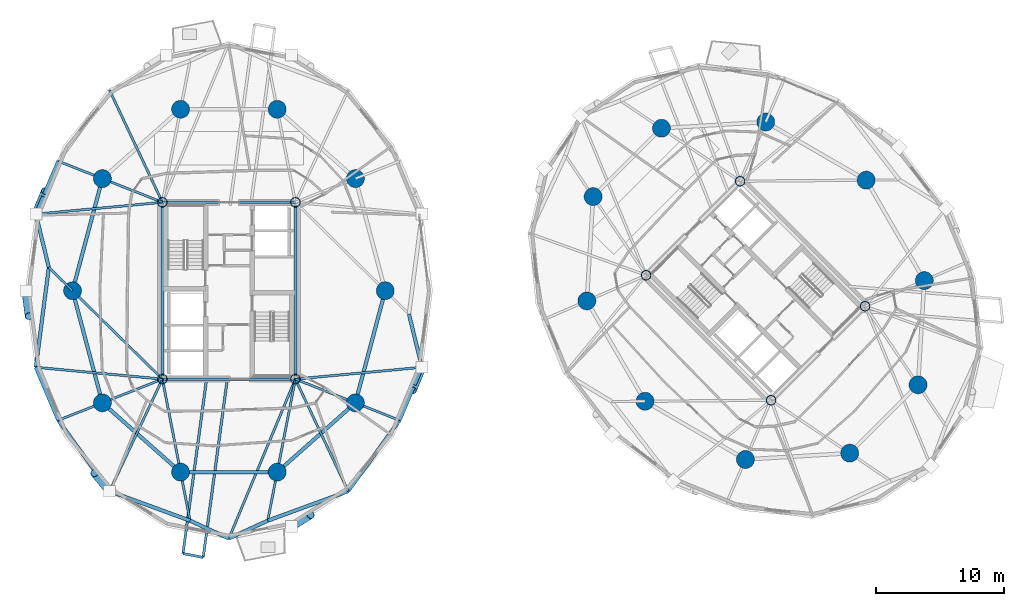
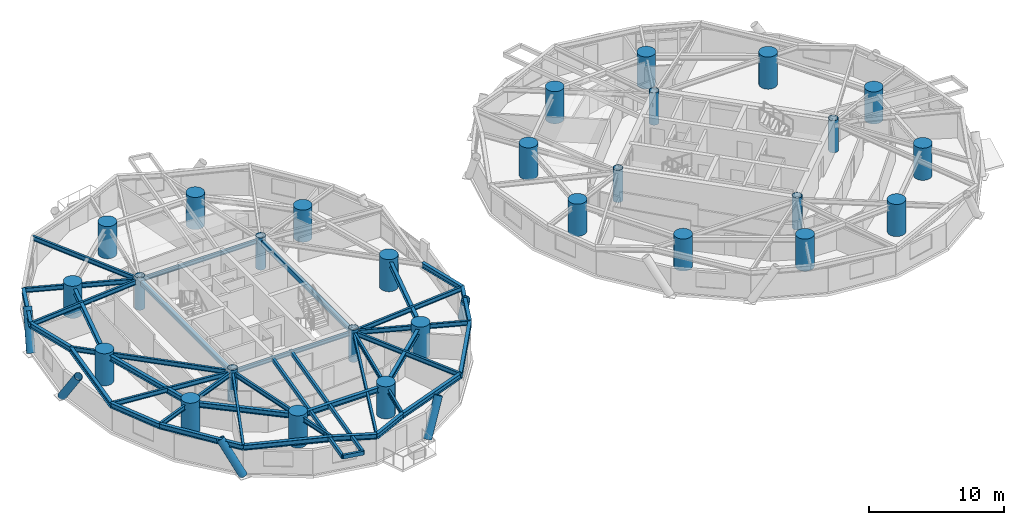
# One storey, part 1 of 18: 39 beams, 28 columns, 5 members.
"""IFC4 building model written with IfcOpenShell, lengths in metres."""

from ifc_helpers import new_model, si_unit, direction, frame, origin, origin_2d, place, context, subcontext, project, spatial, hollow_rectangle, circle, hollow_circle, i_section, extrude, material, material_profile, profile_set, type_object, element, save


model = new_model("IFC4")

# Units and contexts
model_context = context("Model", 3, precision=1e-05, world=origin(), true_north=direction((0.0, 1.0)))
body_context = subcontext(model_context, "Body", "Model", "MODEL_VIEW")
ifc_project = project(units=[si_unit("LENGTHUNIT", "METRE"), si_unit("AREAUNIT", "SQUARE_METRE"), si_unit("VOLUMEUNIT", "CUBIC_METRE"), si_unit("PLANEANGLEUNIT", "RADIAN"), si_unit("MASSUNIT", "GRAM", prefix="KILO")], contexts=[model_context])

# Site, building, storey
site_placement = place(None, origin())
site = spatial("IfcSite", under=ifc_project, at=site_placement, CompositionType="ELEMENT")
building_placement = place(site_placement, origin())
building = spatial("IfcBuilding", under=site, at=building_placement, Name="Cununo Teusaquillo Station Towers", CompositionType="ELEMENT")
storey_placement = place(building_placement, frame((0.0, 0.0, 110.889892578125)))
storey = spatial("IfcBuildingStorey", under=building, at=storey_placement, Name="L35", CompositionType="ELEMENT", Elevation=110.889892578125)

# Columns
ifc_material_1 = material(Name="Steel EN 10025-2 S355J2", Category="steel")
ifc_material_profile_1 = material_profile(ifc_material_1, hollow_circle(Radius=0.3798828125, WallThickness=0.031982421875, at=origin_2d()), Name="CHS 760x32")
ifc_profile_set_1 = profile_set([ifc_material_profile_1], Name="Steel EN 10025-2 S355J2")
column_type_1 = type_object("IfcColumnType", Name="COL-CORE-Z2", PredefinedType="COLUMN", material=ifc_profile_set_1)
for number, where, z_axis, x_axis, name in (
    (1, (11.324951171875, 17.6201171875, 0.0), (0.0, 0.0, 1.0), (1.0, 0.0, 0.0), "L35 Tower A Core Column 1"),
    (2, (11.324951171875, 31.3798828125, 0.0), (0.0, 0.0, 1.0), (1.0, 0.0, 0.0), "L35 Tower A Core Column 2"),
    (3, (21.675048828125, 17.6201171875, 0.0), (0.0, 0.0, 1.0), (1.0, 0.0, 0.0), "L35 Tower A Core Column 3"),
    (4, (21.675048828125, 31.3798828125, 0.0), (0.0, 0.0, 1.0), (1.0, 0.0, 0.0), "L35 Tower A Core Column 4"),
    (5, (58.70556640625, 15.975830078125, 0.0), (0.0, 0.0, 1.0), (0.707106781187, 0.707106781187, 0.0), "L35 Tower B Core Column 1"),
    (6, (48.975830078125, 25.70556640625, 0.0), (0.0, 0.0, 1.0), (0.707106781187, 0.707106781187, 0.0), "L35 Tower B Core Column 2"),
    (7, (66.024169921875, 23.29443359375, 0.0), (0.0, 0.0, 1.0), (0.707106781187, 0.707106781187, 0.0), "L35 Tower B Core Column 3"),
    (8, (56.29443359375, 33.024169921875, 0.0), (0.0, 0.0, 1.0), (0.707106781187, 0.707106781187, 0.0), "L35 Tower B Core Column 4"),
):
    element("IfcColumn", number, at=place(storey_placement, frame(where, z_axis=z_axis, x_axis=x_axis)), inside=storey, type_object=column_type_1, Name=name, PredefinedType="COLUMN", context=body_context, shape_type="SweptSolid", body=[
        extrude(hollow_circle(Radius=0.3798828125, WallThickness=0.031982421875, at=origin_2d()), origin(), (0.0, 0.0, 1.0), 2.91015625),
    ])
ifc_material_2 = material(Name="Concrete C60/75", Category="concrete")
ifc_material_profile_2 = material_profile(ifc_material_2, circle(Radius=0.699951171875, at=origin_2d()), Name="RC-CIRC-1400")
ifc_profile_set_2 = profile_set([ifc_material_profile_2], Name="Concrete C60/75")
column_type_2 = type_object("IfcColumnType", Name="COL-MEGA-Z2", PredefinedType="USERDEFINED", material=ifc_profile_set_2)
for number, where, z_axis, x_axis, name in (
    (9, (28.672119140625, 24.5, 0.0), (0.0, 0.0, 1.0), (1.0, 0.0, 0.0), "L35 Tower A Perimeter Column V00"),
    (10, (26.347412109375, 33.228515625, 0.0), (0.0, 0.0, 1.0), (1.0, 0.0, 0.0), "L35 Tower A Perimeter Column V02"),
    (11, (20.261474609375, 38.623291015625, 0.0), (0.0, 0.0, 1.0), (1.0, 0.0, 0.0), "L35 Tower A Perimeter Column V04"),
    (12, (12.738525390625, 38.623291015625, 0.0), (0.0, 0.0, 1.0), (1.0, 0.0, 0.0), "L35 Tower A Perimeter Column V06"),
    (13, (6.652587890625, 33.228515625, 0.0), (0.0, 0.0, 1.0), (1.0, 0.0, 0.0), "L35 Tower A Perimeter Column V08"),
    (14, (4.327880859375, 24.5, 0.0), (0.0, 0.0, 1.0), (1.0, 0.0, 0.0), "L35 Tower A Perimeter Column V10"),
    (15, (6.652587890625, 15.771484375, 0.0), (0.0, 0.0, 1.0), (1.0, 0.0, 0.0), "L35 Tower A Perimeter Column V12"),
    (16, (12.738525390625, 10.376708984375, 0.0), (0.0, 0.0, 1.0), (1.0, 0.0, 0.0), "L35 Tower A Perimeter Column V14"),
    (17, (20.261474609375, 10.376708984375, 0.0), (0.0, 0.0, 1.0), (1.0, 0.0, 0.0), "L35 Tower A Perimeter Column V16"),
    (18, (26.347412109375, 15.771484375, 0.0), (0.0, 0.0, 1.0), (1.0, 0.0, 0.0), "L35 Tower A Perimeter Column V18"),
    (19, (66.10693359375, 33.10693359375, 0.0), (0.0, 0.0, 1.0), (1.0, 0.0, 0.0), "L35 Tower B Perimeter Column V00"),
    (20, (58.291015625, 37.63525390625, 0.0), (0.0, 0.0, 1.0), (1.0, 0.0, 0.0), "L35 Tower B Perimeter Column V02"),
    (21, (50.173095703125, 37.146240234375, 0.0), (0.0, 0.0, 1.0), (1.0, 0.0, 0.0), "L35 Tower B Perimeter Column V04"),
    (22, (44.853759765625, 31.826904296875, 0.0), (0.0, 0.0, 1.0), (1.0, 0.0, 0.0), "L35 Tower B Perimeter Column V06"),
    (23, (44.36474609375, 23.708984375, 0.0), (0.0, 0.0, 1.0), (1.0, 0.0, 0.0), "L35 Tower B Perimeter Column V08"),
    (24, (48.89306640625, 15.89306640625, 0.0), (0.0, 0.0, 1.0), (1.0, 0.0, 0.0), "L35 Tower B Perimeter Column V10"),
    (25, (56.708984375, 11.36474609375, 0.0), (0.0, 0.0, 1.0), (1.0, 0.0, 0.0), "L35 Tower B Perimeter Column V12"),
    (26, (64.826904296875, 11.853759765625, 0.0), (0.0, 0.0, 1.0), (1.0, 0.0, 0.0), "L35 Tower B Perimeter Column V14"),
    (27, (70.146240234375, 17.173095703125, 0.0), (0.0, 0.0, 1.0), (1.0, 0.0, 0.0), "L35 Tower B Perimeter Column V16"),
    (28, (70.63525390625, 25.291015625, 0.0), (0.0, 0.0, 1.0), (1.0, 0.0, 0.0), "L35 Tower B Perimeter Column V18"),
):
    element("IfcColumn", number, at=place(storey_placement, frame(where, z_axis=z_axis, x_axis=x_axis)), inside=storey, type_object=column_type_2, Name=name, ObjectType="MEGA COLUMN", PredefinedType="USERDEFINED", context=body_context, shape_type="SweptSolid", body=[
        extrude(circle(Radius=0.699951171875, at=origin_2d()), origin(), (0.0, 0.0, 1.0), 2.91015625),
    ])

# Beams
ifc_material_3 = material(Name="Steel EN 10025-2 S355J2", Category="steel")
ifc_material_profile_3 = material_profile(ifc_material_3, hollow_rectangle(XDim=0.199951171875, YDim=0.35009765625, WallThickness=0.013916015625, at=origin_2d()), Name="RHS 350x200x14")
ifc_profile_set_3 = profile_set([ifc_material_profile_3], Name="Steel EN 10025-2 S355J2")
beam_type_1 = type_object("IfcBeamType", Name="BM-BAL-CANT", PredefinedType="BEAM", material=ifc_profile_set_3)
beam_1_placement = place(storey_placement, frame((14.793701171875, 17.85009765625, 2.4951171875), z_axis=(-0.133960678738, -0.990986648019, 0.0), x_axis=(0.990986648019, -0.133960678738, 0.0)))
element("IfcBeam", 29, at=beam_1_placement, inside=storey, type_object=beam_type_1, Name="L35 Tower A Balcony Cantilever Bracket 2A", PredefinedType="BEAM", context=body_context, shape_type="SweptSolid", body=[
    extrude(hollow_rectangle(XDim=0.199951171875, YDim=0.35009765625, WallThickness=0.013916015625, at=origin_2d()), origin(), (0.0, 0.0, 1.0), 13.9345703125),
])
beam_2_placement = place(storey_placement, frame((16.40869140625, 17.85009765625, 2.4951171875), z_axis=(-0.133936551357, -0.990989909237, 0.0), x_axis=(0.990989909237, -0.133936551357, 0.0)))
element("IfcBeam", 30, at=beam_2_placement, inside=storey, type_object=beam_type_1, Name="L35 Tower A Balcony Cantilever Bracket 2B", PredefinedType="BEAM", context=body_context, shape_type="SweptSolid", body=[
    extrude(hollow_rectangle(XDim=0.199951171875, YDim=0.35009765625, WallThickness=0.013916015625, at=origin_2d()), origin(), (0.0, 0.0, 1.0), 14.24169921875),
])
ifc_material_4 = material(Name="Steel EN 10025-2 S355J2", Category="steel")
ifc_material_profile_4 = material_profile(ifc_material_4, hollow_rectangle(XDim=0.25, YDim=0.449951171875, WallThickness=0.01611328125, at=origin_2d()), Name="RHS 450x250x16")
ifc_profile_set_4 = profile_set([ifc_material_profile_4], Name="Steel EN 10025-2 S355J2")
beam_type_2 = type_object("IfcBeamType", Name="BM-COUP-1", PredefinedType="USERDEFINED", material=ifc_profile_set_4)
for number, where, z_axis, x_axis, name in (
    (31, (11.324951171875, 17.6201171875, 2.445068359375), (0.0, 1.0, 0.0), (-1.0, 0.0, 0.0), "L35 Tower A Core Beam 1"),
    (32, (21.675048828125, 17.6201171875, 2.445068359375), (0.0, 1.0, 0.0), (-1.0, 0.0, 0.0), "L35 Tower A Core Beam 2"),
):
    element("IfcBeam", number, at=place(storey_placement, frame(where, z_axis=z_axis, x_axis=x_axis)), inside=storey, type_object=beam_type_2, Name=name, ObjectType="COUPLING BEAM", PredefinedType="USERDEFINED", context=body_context, shape_type="SweptSolid", body=[
        extrude(hollow_rectangle(XDim=0.25, YDim=0.449951171875, WallThickness=0.01611328125, at=origin_2d()), origin(), (0.0, 0.0, 1.0), 13.759765625),
    ])
ifc_material_5 = material(Name="Steel ASTM A572 Grade 50", Category="steel")
ifc_material_profile_5 = material_profile(ifc_material_5, i_section(OverallWidth=0.180908203125, OverallDepth=0.4169921875, WebThickness=0.010986328125, FlangeThickness=0.018310546875, FilletRadius=0.012939453125, at=origin_2d()), Name="W16X57")
ifc_profile_set_5 = profile_set([ifc_material_profile_5], Name="Steel ASTM A572 Grade 50")
beam_type_3 = type_object("IfcBeamType", Name="BM-JOIST-1", PredefinedType="JOIST", material=ifc_profile_set_5)
beam_3_placement = place(storey_placement, frame((11.324951171875, 31.3798828125, 2.461669921875), z_axis=(-0.426319838016, 0.904572493344, 0.0), x_axis=(-0.904572493344, -0.426319838016, 0.0)))
element("IfcBeam", 33, at=beam_3_placement, inside=storey, type_object=beam_type_3, Name="L35 Tower A Radial Spandrel Joist V07", PredefinedType="JOIST", context=body_context, shape_type="SweptSolid", body=[
    extrude(i_section(OverallWidth=0.180908203125, OverallDepth=0.4169921875, WebThickness=0.010986328125, FlangeThickness=0.018310546875, FilletRadius=0.012939453125, at=origin_2d()), origin(), (0.0, 0.0, 1.0), 9.646728515625),
])
for number, where, z_axis, x_axis, name in (
    (34, (11.324951171875, 31.3798828125, 2.461669921875), (-0.995678537907, -0.09286683558, 0.0), (0.09286683558, -0.995678537907, 0.0), "L35 Tower A Radial Spandrel Joist V09"),
    (35, (11.324951171875, 17.6201171875, 2.461669921875), (-0.995678537907, 0.09286683558, 0.0), (-0.09286683558, -0.995678537907, 0.0), "L35 Tower A Radial Spandrel Joist V11"),
):
    element("IfcBeam", number, at=place(storey_placement, frame(where, z_axis=z_axis, x_axis=x_axis)), inside=storey, type_object=beam_type_3, Name=name, PredefinedType="JOIST", context=body_context, shape_type="SweptSolid", body=[
        extrude(i_section(OverallWidth=0.180908203125, OverallDepth=0.4169921875, WebThickness=0.010986328125, FlangeThickness=0.018310546875, FilletRadius=0.012939453125, at=origin_2d()), origin(), (0.0, 0.0, 1.0), 9.895263671875),
    ])
beam_4_placement = place(storey_placement, frame((11.324951171875, 17.6201171875, 2.461669921875), z_axis=(-0.426319838016, -0.904572493344, 0.0), x_axis=(0.904572493344, -0.426319838016, 0.0)))
element("IfcBeam", 36, at=beam_4_placement, inside=storey, type_object=beam_type_3, Name="L35 Tower A Radial Spandrel Joist V13", PredefinedType="JOIST", context=body_context, shape_type="SweptSolid", body=[
    extrude(i_section(OverallWidth=0.180908203125, OverallDepth=0.4169921875, WebThickness=0.010986328125, FlangeThickness=0.018310546875, FilletRadius=0.012939453125, at=origin_2d()), origin(), (0.0, 0.0, 1.0), 9.646728515625),
])
beam_5_placement = place(storey_placement, frame((21.675048828125, 17.6201171875, 2.461669921875), z_axis=(-0.38487837995, -0.922967297713, 0.0), x_axis=(0.922967297713, -0.38487837995, 0.0)))
element("IfcBeam", 37, at=beam_5_placement, inside=storey, type_object=beam_type_3, Name="L35 Tower A Radial Spandrel Joist V15", PredefinedType="JOIST", context=body_context, shape_type="SweptSolid", body=[
    extrude(i_section(OverallWidth=0.180908203125, OverallDepth=0.4169921875, WebThickness=0.010986328125, FlangeThickness=0.018310546875, FilletRadius=0.012939453125, at=origin_2d()), origin(), (0.0, 0.0, 1.0), 13.446044921875),
])
beam_6_placement = place(storey_placement, frame((21.675048828125, 17.6201171875, 2.461669921875), z_axis=(0.426319838016, -0.904572493344, 0.0), x_axis=(0.904572493344, 0.426319838016, 0.0)))
element("IfcBeam", 38, at=beam_6_placement, inside=storey, type_object=beam_type_3, Name="L35 Tower A Radial Spandrel Joist V17", PredefinedType="JOIST", context=body_context, shape_type="SweptSolid", body=[
    extrude(i_section(OverallWidth=0.180908203125, OverallDepth=0.4169921875, WebThickness=0.010986328125, FlangeThickness=0.018310546875, FilletRadius=0.012939453125, at=origin_2d()), origin(), (0.0, 0.0, 1.0), 9.646728515625),
])
beam_7_placement = place(storey_placement, frame((21.675048828125, 17.6201171875, 2.461669921875), z_axis=(0.995678537907, 0.09286683558, 0.0), x_axis=(-0.09286683558, 0.995678537907, 0.0)))
element("IfcBeam", 39, at=beam_7_placement, inside=storey, type_object=beam_type_3, Name="L35 Tower A Radial Spandrel Joist V19", PredefinedType="JOIST", context=body_context, shape_type="SweptSolid", body=[
    extrude(i_section(OverallWidth=0.180908203125, OverallDepth=0.4169921875, WebThickness=0.010986328125, FlangeThickness=0.018310546875, FilletRadius=0.012939453125, at=origin_2d()), origin(), (0.0, 0.0, 1.0), 9.895263671875),
])
ifc_material_6 = material(Name="Steel ASTM A572 Grade 50", Category="steel")
ifc_material_profile_6 = material_profile(ifc_material_6, i_section(OverallWidth=0.2041015625, OverallDepth=0.35009765625, WebThickness=0.008544921875, FlangeThickness=0.01513671875, FilletRadius=0.011962890625, at=origin_2d()), Name="W14X48")
ifc_profile_set_6 = profile_set([ifc_material_profile_6], Name="Steel ASTM A572 Grade 50")
beam_type_4 = type_object("IfcBeamType", Name="BM-LINTEL-1", PredefinedType="LINTEL", material=ifc_profile_set_6)
for number, where, z_axis, x_axis, name in (
    (40, (11.324951171875, 17.6201171875, 2.4951171875), (1.0, 0.0, 0.0), (0.0, 1.0, 0.0), "L35 Tower A Core Beam 3"),
    (41, (11.324951171875, 31.3798828125, 2.4951171875), (1.0, 0.0, 0.0), (0.0, 1.0, 0.0), "L35 Tower A Core Beam 4"),
):
    element("IfcBeam", number, at=place(storey_placement, frame(where, z_axis=z_axis, x_axis=x_axis)), inside=storey, type_object=beam_type_4, Name=name, PredefinedType="LINTEL", context=body_context, shape_type="SweptSolid", body=[
        extrude(i_section(OverallWidth=0.2041015625, OverallDepth=0.35009765625, WebThickness=0.008544921875, FlangeThickness=0.01513671875, FilletRadius=0.011962890625, at=origin_2d()), origin(), (0.0, 0.0, 1.0), 10.35009765625),
    ])
ifc_material_7 = material(Name="Steel ASTM A572 Grade 50", Category="steel")
ifc_material_profile_7 = material_profile(ifc_material_7, i_section(OverallWidth=0.180908203125, OverallDepth=0.4169921875, WebThickness=0.010986328125, FlangeThickness=0.018310546875, FilletRadius=0.012939453125, at=origin_2d()), Name="W16X57")
ifc_profile_set_7 = profile_set([ifc_material_profile_7], Name="Steel ASTM A572 Grade 50")
beam_type_5 = type_object("IfcBeamType", Name="BM-RAD-G2", PredefinedType="BEAM", material=ifc_profile_set_7)
beam_8_placement = place(storey_placement, frame((11.324951171875, 31.3798828125, 2.461669921875), z_axis=(-0.929863123823, 0.367905654963, 0.0), x_axis=(-0.367905654963, -0.929863123823, 0.0)))
element("IfcBeam", 42, at=beam_8_placement, inside=storey, type_object=beam_type_5, Name="L35 Tower A Continuous Overhanging Radial Girder 05", PredefinedType="BEAM", context=body_context, shape_type="SweptSolid", body=[
    extrude(i_section(OverallWidth=0.180908203125, OverallDepth=0.4169921875, WebThickness=0.010986328125, FlangeThickness=0.018310546875, FilletRadius=0.012939453125, at=origin_2d()), origin(), (0.0, 0.0, 1.0), 8.715087890625),
])
beam_9_placement = place(storey_placement, frame((11.324951171875, 17.6201171875, 2.461669921875), z_axis=(-0.713052701438, 0.701110437073, 0.0), x_axis=(-0.701110437073, -0.713052701438, 0.0)))
element("IfcBeam", 43, at=beam_9_placement, inside=storey, type_object=beam_type_5, Name="L35 Tower A Radial Girder 06A", PredefinedType="BEAM", context=body_context, shape_type="SweptSolid", body=[
    extrude(i_section(OverallWidth=0.180908203125, OverallDepth=0.4169921875, WebThickness=0.010986328125, FlangeThickness=0.018310546875, FilletRadius=0.012939453125, at=origin_2d()), origin(), (0.0, 0.0, 1.0), 9.812744140625),
])
beam_10_placement = place(storey_placement, frame((4.327880859375, 24.5, 2.461669921875), z_axis=(-0.7130260383, 0.701137553342, 0.0), x_axis=(-0.701137553342, -0.7130260383, 0.0)))
element("IfcBeam", 44, at=beam_10_placement, inside=storey, type_object=beam_type_5, Name="L35 Tower A Perimeter Overhang Girder 06B", PredefinedType="BEAM", context=body_context, shape_type="SweptSolid", body=[
    extrude(i_section(OverallWidth=0.180908203125, OverallDepth=0.4169921875, WebThickness=0.010986328125, FlangeThickness=0.018310546875, FilletRadius=0.012939453125, at=origin_2d()), origin(), (0.0, 0.0, 1.0), 2.58740234375),
])
beam_11_placement = place(storey_placement, frame((11.324951171875, 17.6201171875, 2.461669921875), z_axis=(-0.929863123823, -0.367905654963, 0.0), x_axis=(0.367905654963, -0.929863123823, 0.0)))
element("IfcBeam", 45, at=beam_11_placement, inside=storey, type_object=beam_type_5, Name="L35 Tower A Continuous Overhanging Radial Girder 07", PredefinedType="BEAM", context=body_context, shape_type="SweptSolid", body=[
    extrude(i_section(OverallWidth=0.180908203125, OverallDepth=0.4169921875, WebThickness=0.010986328125, FlangeThickness=0.018310546875, FilletRadius=0.012939453125, at=origin_2d()), origin(), (0.0, 0.0, 1.0), 8.715087890625),
])
for number, where, z_axis, x_axis, name in (
    (46, (11.324951171875, 17.6201171875, 2.461669921875), (0.191552755713, -0.981482318628, 0.0), (0.981482318628, 0.191552755713, 0.0), "L35 Tower A Continuous Overhanging Radial Girder 08"),
    (47, (21.675048828125, 17.6201171875, 2.461669921875), (-0.191552755713, -0.981482318628, 0.0), (0.981482318628, -0.191552755713, 0.0), "L35 Tower A Continuous Overhanging Radial Girder 09"),
):
    element("IfcBeam", number, at=place(storey_placement, frame(where, z_axis=z_axis, x_axis=x_axis)), inside=storey, type_object=beam_type_5, Name=name, PredefinedType="BEAM", context=body_context, shape_type="SweptSolid", body=[
        extrude(i_section(OverallWidth=0.180908203125, OverallDepth=0.4169921875, WebThickness=0.010986328125, FlangeThickness=0.018310546875, FilletRadius=0.012939453125, at=origin_2d()), origin(), (0.0, 0.0, 1.0), 11.22998046875),
    ])
beam_12_placement = place(storey_placement, frame((21.675048828125, 17.6201171875, 2.461669921875), z_axis=(0.929863123823, -0.367905654963, 0.0), x_axis=(0.367905654963, 0.929863123823, 0.0)))
element("IfcBeam", 48, at=beam_12_placement, inside=storey, type_object=beam_type_5, Name="L35 Tower A Continuous Overhanging Radial Girder 10", PredefinedType="BEAM", context=body_context, shape_type="SweptSolid", body=[
    extrude(i_section(OverallWidth=0.180908203125, OverallDepth=0.4169921875, WebThickness=0.010986328125, FlangeThickness=0.018310546875, FilletRadius=0.012939453125, at=origin_2d()), origin(), (0.0, 0.0, 1.0), 8.715087890625),
])
ifc_material_8 = material(Name="Steel ASTM A572 Grade 50", Category="steel")
ifc_material_profile_8 = material_profile(ifc_material_8, i_section(OverallWidth=0.280029296875, OverallDepth=0.462890625, WebThickness=0.0107421875, FlangeThickness=0.017333984375, FilletRadius=0.013916015625, at=origin_2d()), Name="W18X76")
ifc_profile_set_8 = profile_set([ifc_material_profile_8], Name="Steel ASTM A572 Grade 50")
beam_type_6 = type_object("IfcBeamType", Name="BM-RING-Z2", PredefinedType="SPANDREL", material=ifc_profile_set_8)
for number, where, z_axis, x_axis, name in (
    (49, (6.652587890625, 33.228515625, 2.438720703125), (-0.257363196347, -0.966314744359, 0.0), (0.966314744359, -0.257363196347, 0.0), "L35 Tower A Structural Column Ring Girder 05"),
    (50, (4.327880859375, 24.5, 2.438720703125), (0.257363196347, -0.966314744359, 0.0), (0.966314744359, 0.257363196347, 0.0), "L35 Tower A Structural Column Ring Girder 06"),
):
    element("IfcBeam", number, at=place(storey_placement, frame(where, z_axis=z_axis, x_axis=x_axis)), inside=storey, type_object=beam_type_6, Name=name, PredefinedType="SPANDREL", context=body_context, shape_type="SweptSolid", body=[
        extrude(i_section(OverallWidth=0.280029296875, OverallDepth=0.462890625, WebThickness=0.0107421875, FlangeThickness=0.017333984375, FilletRadius=0.013916015625, at=origin_2d()), origin(), (0.0, 0.0, 1.0), 9.03271484375),
    ])
beam_13_placement = place(storey_placement, frame((6.652587890625, 15.771484375, 2.438720703125), z_axis=(0.74832120039, -0.66333655187, 0.0), x_axis=(0.66333655187, 0.74832120039, 0.0)))
element("IfcBeam", 51, at=beam_13_placement, inside=storey, type_object=beam_type_6, Name="L35 Tower A Structural Column Ring Girder 07", PredefinedType="SPANDREL", context=body_context, shape_type="SweptSolid", body=[
    extrude(i_section(OverallWidth=0.280029296875, OverallDepth=0.462890625, WebThickness=0.0107421875, FlangeThickness=0.017333984375, FilletRadius=0.013916015625, at=origin_2d()), origin(), (0.0, 0.0, 1.0), 8.1328125),
])
beam_14_placement = place(storey_placement, frame((12.738525390625, 10.376708984375, 2.438720703125), z_axis=(1.0, 0.0, 0.0), x_axis=(0.0, 1.0, 0.0)))
element("IfcBeam", 52, at=beam_14_placement, inside=storey, type_object=beam_type_6, Name="L35 Tower A Structural Column Ring Girder 08", PredefinedType="SPANDREL", context=body_context, shape_type="SweptSolid", body=[
    extrude(i_section(OverallWidth=0.280029296875, OverallDepth=0.462890625, WebThickness=0.0107421875, FlangeThickness=0.017333984375, FilletRadius=0.013916015625, at=origin_2d()), origin(), (0.0, 0.0, 1.0), 7.52294921875),
])
beam_15_placement = place(storey_placement, frame((20.261474609375, 10.376708984375, 2.438720703125), z_axis=(0.74832120039, 0.66333655187, 0.0), x_axis=(-0.66333655187, 0.74832120039, 0.0)))
element("IfcBeam", 53, at=beam_15_placement, inside=storey, type_object=beam_type_6, Name="L35 Tower A Structural Column Ring Girder 09", PredefinedType="SPANDREL", context=body_context, shape_type="SweptSolid", body=[
    extrude(i_section(OverallWidth=0.280029296875, OverallDepth=0.462890625, WebThickness=0.0107421875, FlangeThickness=0.017333984375, FilletRadius=0.013916015625, at=origin_2d()), origin(), (0.0, 0.0, 1.0), 8.1328125),
])
beam_16_placement = place(storey_placement, frame((26.347412109375, 15.771484375, 2.438720703125), z_axis=(0.257363196347, 0.966314744359, 0.0), x_axis=(-0.966314744359, 0.257363196347, 0.0)))
element("IfcBeam", 54, at=beam_16_placement, inside=storey, type_object=beam_type_6, Name="L35 Tower A Structural Column Ring Girder 10", PredefinedType="SPANDREL", context=body_context, shape_type="SweptSolid", body=[
    extrude(i_section(OverallWidth=0.280029296875, OverallDepth=0.462890625, WebThickness=0.0107421875, FlangeThickness=0.017333984375, FilletRadius=0.013916015625, at=origin_2d()), origin(), (0.0, 0.0, 1.0), 9.03271484375),
])
beam_17_placement = place(storey_placement, frame((3.22119140625, 34.586181640625, 2.438720703125), z_axis=(-0.390299356049, -0.920688010494, 0.0), x_axis=(0.920688010494, -0.390299356049, 0.0)))
element("IfcBeam", 55, at=beam_17_placement, inside=storey, type_object=beam_type_6, Name="L35 Tower A Spandrel Ring Beam 09", PredefinedType="SPANDREL", context=body_context, shape_type="SweptSolid", body=[
    extrude(i_section(OverallWidth=0.280029296875, OverallDepth=0.462890625, WebThickness=0.0107421875, FlangeThickness=0.017333984375, FilletRadius=0.013916015625, at=origin_2d()), origin(), (0.0, 0.0, 1.0), 4.480712890625),
])
beam_18_placement = place(storey_placement, frame((1.472412109375, 30.4609375, 2.438720703125), z_axis=(0.236757334703, -0.971568816124, 0.0), x_axis=(0.971568816124, 0.236757334703, 0.0)))
element("IfcBeam", 56, at=beam_18_placement, inside=storey, type_object=beam_type_6, Name="L35 Tower A Spandrel Ring Beam 10", PredefinedType="SPANDREL", context=body_context, shape_type="SweptSolid", body=[
    extrude(i_section(OverallWidth=0.280029296875, OverallDepth=0.462890625, WebThickness=0.0107421875, FlangeThickness=0.017333984375, FilletRadius=0.013916015625, at=origin_2d()), origin(), (0.0, 0.0, 1.0), 4.26806640625),
])
beam_19_placement = place(storey_placement, frame((2.48291015625, 26.314208984375, 2.438720703125), z_axis=(-0.12888124113, -0.991660035337, 0.0), x_axis=(0.991660035337, -0.12888124113, 0.0)))
element("IfcBeam", 57, at=beam_19_placement, inside=storey, type_object=beam_type_6, Name="L35 Tower A Spandrel Ring Beam 11", PredefinedType="SPANDREL", context=body_context, shape_type="SweptSolid", body=[
    extrude(i_section(OverallWidth=0.280029296875, OverallDepth=0.462890625, WebThickness=0.0107421875, FlangeThickness=0.017333984375, FilletRadius=0.013916015625, at=origin_2d()), origin(), (0.0, 0.0, 1.0), 7.840576171875),
])
beam_20_placement = place(storey_placement, frame((1.472412109375, 18.5390625, 2.438720703125), z_axis=(0.390299356049, -0.920688010494, 0.0), x_axis=(0.920688010494, 0.390299356049, 0.0)))
element("IfcBeam", 58, at=beam_20_placement, inside=storey, type_object=beam_type_6, Name="L35 Tower A Spandrel Ring Beam 12", PredefinedType="SPANDREL", context=body_context, shape_type="SweptSolid", body=[
    extrude(i_section(OverallWidth=0.280029296875, OverallDepth=0.462890625, WebThickness=0.0107421875, FlangeThickness=0.017333984375, FilletRadius=0.013916015625, at=origin_2d()), origin(), (0.0, 0.0, 1.0), 4.480712890625),
])
beam_21_placement = place(storey_placement, frame((3.22119140625, 14.413818359375, 2.438720703125), z_axis=(0.58594455724, -0.810351143543, 0.0), x_axis=(0.810351143543, 0.58594455724, 0.0)))
element("IfcBeam", 59, at=beam_21_placement, inside=storey, type_object=beam_type_6, Name="L35 Tower A Spandrel Ring Beam 13", PredefinedType="SPANDREL", context=body_context, shape_type="SweptSolid", body=[
    extrude(i_section(OverallWidth=0.280029296875, OverallDepth=0.462890625, WebThickness=0.0107421875, FlangeThickness=0.017333984375, FilletRadius=0.013916015625, at=origin_2d()), origin(), (0.0, 0.0, 1.0), 6.8115234375),
])
beam_22_placement = place(storey_placement, frame((7.21240234375, 8.89404296875, 2.438720703125), z_axis=(0.938914161016, -0.34415141761, 0.0), x_axis=(0.34415141761, 0.938914161016, 0.0)))
element("IfcBeam", 60, at=beam_22_placement, inside=storey, type_object=beam_type_6, Name="L35 Tower A Spandrel Ring Beam 14", PredefinedType="SPANDREL", context=body_context, shape_type="SweptSolid", body=[
    extrude(i_section(OverallWidth=0.280029296875, OverallDepth=0.462890625, WebThickness=0.0107421875, FlangeThickness=0.017333984375, FilletRadius=0.013916015625, at=origin_2d()), origin(), (0.0, 0.0, 1.0), 6.671142578125),
])
for number, where, z_axis, x_axis, name in (
    (61, (13.47607421875, 6.59814453125, 2.438720703125), (0.908812215281, -0.417205413862, 0.0), (0.417205413862, 0.908812215281, 0.0), "L35 Tower A Spandrel Ring Beam 15"),
    (62, (16.5, 5.2099609375, 2.438720703125), (0.908812215281, 0.417205413862, 0.0), (-0.417205413862, 0.908812215281, 0.0), "L35 Tower A Spandrel Ring Beam 16"),
):
    element("IfcBeam", number, at=place(storey_placement, frame(where, z_axis=z_axis, x_axis=x_axis)), inside=storey, type_object=beam_type_6, Name=name, PredefinedType="SPANDREL", context=body_context, shape_type="SweptSolid", body=[
        extrude(i_section(OverallWidth=0.280029296875, OverallDepth=0.462890625, WebThickness=0.0107421875, FlangeThickness=0.017333984375, FilletRadius=0.013916015625, at=origin_2d()), origin(), (0.0, 0.0, 1.0), 3.327392578125),
    ])
beam_23_placement = place(storey_placement, frame((19.52392578125, 6.59814453125, 2.438720703125), z_axis=(0.938914161016, 0.34415141761, 0.0), x_axis=(-0.34415141761, 0.938914161016, 0.0)))
element("IfcBeam", 63, at=beam_23_placement, inside=storey, type_object=beam_type_6, Name="L35 Tower A Spandrel Ring Beam 17", PredefinedType="SPANDREL", context=body_context, shape_type="SweptSolid", body=[
    extrude(i_section(OverallWidth=0.280029296875, OverallDepth=0.462890625, WebThickness=0.0107421875, FlangeThickness=0.017333984375, FilletRadius=0.013916015625, at=origin_2d()), origin(), (0.0, 0.0, 1.0), 6.671142578125),
])
beam_24_placement = place(storey_placement, frame((25.78759765625, 8.89404296875, 2.438720703125), z_axis=(0.58594455724, 0.810351143543, 0.0), x_axis=(-0.810351143543, 0.58594455724, 0.0)))
element("IfcBeam", 64, at=beam_24_placement, inside=storey, type_object=beam_type_6, Name="L35 Tower A Spandrel Ring Beam 18", PredefinedType="SPANDREL", context=body_context, shape_type="SweptSolid", body=[
    extrude(i_section(OverallWidth=0.280029296875, OverallDepth=0.462890625, WebThickness=0.0107421875, FlangeThickness=0.017333984375, FilletRadius=0.013916015625, at=origin_2d()), origin(), (0.0, 0.0, 1.0), 6.8115234375),
])
beam_25_placement = place(storey_placement, frame((29.77880859375, 14.413818359375, 2.438720703125), z_axis=(0.390299356049, 0.920688010494, 0.0), x_axis=(-0.920688010494, 0.390299356049, 0.0)))
element("IfcBeam", 65, at=beam_25_placement, inside=storey, type_object=beam_type_6, Name="L35 Tower A Spandrel Ring Beam 19", PredefinedType="SPANDREL", context=body_context, shape_type="SweptSolid", body=[
    extrude(i_section(OverallWidth=0.280029296875, OverallDepth=0.462890625, WebThickness=0.0107421875, FlangeThickness=0.017333984375, FilletRadius=0.013916015625, at=origin_2d()), origin(), (0.0, 0.0, 1.0), 4.480712890625),
])
beam_26_placement = place(storey_placement, frame((31.527587890625, 18.5390625, 2.438720703125), z_axis=(-0.236757334703, 0.971568816124, 0.0), x_axis=(-0.971568816124, -0.236757334703, 0.0)))
element("IfcBeam", 66, at=beam_26_placement, inside=storey, type_object=beam_type_6, Name="L35 Tower A Spandrel Ring Beam 20", PredefinedType="SPANDREL", context=body_context, shape_type="SweptSolid", body=[
    extrude(i_section(OverallWidth=0.280029296875, OverallDepth=0.462890625, WebThickness=0.0107421875, FlangeThickness=0.017333984375, FilletRadius=0.013916015625, at=origin_2d()), origin(), (0.0, 0.0, 1.0), 4.26806640625),
])
ifc_material_9 = material(Name="Steel EN 10025-2 S355J2", Category="steel")
ifc_material_profile_9 = material_profile(ifc_material_9, hollow_rectangle(XDim=0.199951171875, YDim=0.35009765625, WallThickness=0.013916015625, at=origin_2d()), Name="RHS 350x200x14")
ifc_profile_set_9 = profile_set([ifc_material_profile_9], Name="Steel EN 10025-2 S355J2")
beam_type_7 = type_object("IfcBeamType", Name="BM-STAIR-TRIM", PredefinedType="BEAM", material=ifc_profile_set_9)
beam_27_placement = place(storey_placement, frame((12.927001953125, 4.041015625, 2.525146484375), z_axis=(0.981836621572, -0.189728354603, 0.0), x_axis=(0.189728354603, 0.981836621572, 0.0)))
element("IfcBeam", 67, at=beam_27_placement, inside=storey, type_object=beam_type_7, Name="L35 Tower A Balcony Edge Trimmer Beam 2", PredefinedType="BEAM", context=body_context, shape_type="SweptSolid", body=[
    extrude(hollow_rectangle(XDim=0.199951171875, YDim=0.35009765625, WallThickness=0.013916015625, at=origin_2d()), origin(), (0.0, 0.0, 1.0), 1.603271484375),
])

# Members
ifc_material_10 = material(Name="Steel EN 10025-2 S355J2", Category="steel")
ifc_material_profile_10 = material_profile(ifc_material_10, hollow_circle(Radius=0.330078125, WallThickness=0.02490234375, at=origin_2d()), Name="CHS 660x25")
ifc_profile_set_10 = profile_set([ifc_material_profile_10], Name="Steel EN 10025-2 S355J2")
member_type = type_object("IfcMemberType", Name="MBR-DIAG-Z2", PredefinedType="BRACE", material=ifc_profile_set_10)
member_1_placement = place(storey_placement, frame((1.472412109375, 30.4609375, -0.139892578125), z_axis=(0.213813667787, 0.512343325357, 0.831737958993), x_axis=(-0.922861086318, 0.385132983993, 0.0)))
element("IfcMember", 68, at=member_1_placement, inside=storey, type_object=member_type, Name="L35 Tower A Folded-Zigzag Diagrid Tube C08", PredefinedType="BRACE", context=body_context, shape_type="SweptSolid", body=[
    extrude(hollow_circle(Radius=0.330078125, WallThickness=0.02490234375, at=origin_2d()), origin(), (0.0, 0.0, 1.0), 3.49853515625),
])
member_2_placement = place(storey_placement, frame((0.698974609375, 24.5, -0.139892578125), z_axis=(0.072971585914, -0.562420206205, 0.823625314874), x_axis=(0.991687829619, 0.128667200894, 0.0)))
element("IfcMember", 69, at=member_2_placement, inside=storey, type_object=member_type, Name="L35 Tower A Folded-Zigzag Diagrid Tube C10", PredefinedType="BRACE", context=body_context, shape_type="SweptSolid", body=[
    extrude(hollow_circle(Radius=0.330078125, WallThickness=0.02490234375, at=origin_2d()), origin(), (0.0, 0.0, 1.0), 3.532958984375),
])
member_3_placement = place(storey_placement, frame((7.21240234375, 8.89404296875, -0.139892578125), z_axis=(-0.338520838688, 0.413274864244, 0.845344621062), x_axis=(-0.773602270202, -0.633671466565, 0.0)))
element("IfcMember", 70, at=member_3_placement, inside=storey, type_object=member_type, Name="L35 Tower A Folded-Zigzag Diagrid Tube C12", PredefinedType="BRACE", context=body_context, shape_type="SweptSolid", body=[
    extrude(hollow_circle(Radius=0.330078125, WallThickness=0.02490234375, at=origin_2d()), origin(), (0.0, 0.0, 1.0), 3.4423828125),
])
member_4_placement = place(storey_placement, frame((21.3828125, 6.154052734375, -0.139892578125), z_axis=(0.433768032271, 0.269824776975, 0.859674289432), x_axis=(-0.528195574716, 0.849122744278, 0.0)))
element("IfcMember", 71, at=member_4_placement, inside=storey, type_object=member_type, Name="L35 Tower A Folded-Zigzag Diagrid Tube C16", PredefinedType="BRACE", context=body_context, shape_type="SweptSolid", body=[
    extrude(hollow_circle(Radius=0.330078125, WallThickness=0.02490234375, at=origin_2d()), origin(), (0.0, 0.0, 1.0), 3.385009765625),
])
member_5_placement = place(storey_placement, frame((31.527587890625, 18.5390625, -0.139892578125), z_axis=(-0.213813667787, -0.512343325357, 0.831737958993), x_axis=(0.922861086318, -0.385132983993, 0.0)))
element("IfcMember", 72, at=member_5_placement, inside=storey, type_object=member_type, Name="L35 Tower A Folded-Zigzag Diagrid Tube C18", PredefinedType="BRACE", context=body_context, shape_type="SweptSolid", body=[
    extrude(hollow_circle(Radius=0.330078125, WallThickness=0.02490234375, at=origin_2d()), origin(), (0.0, 0.0, 1.0), 3.49853515625),
])

save(model, "model.ifc")
